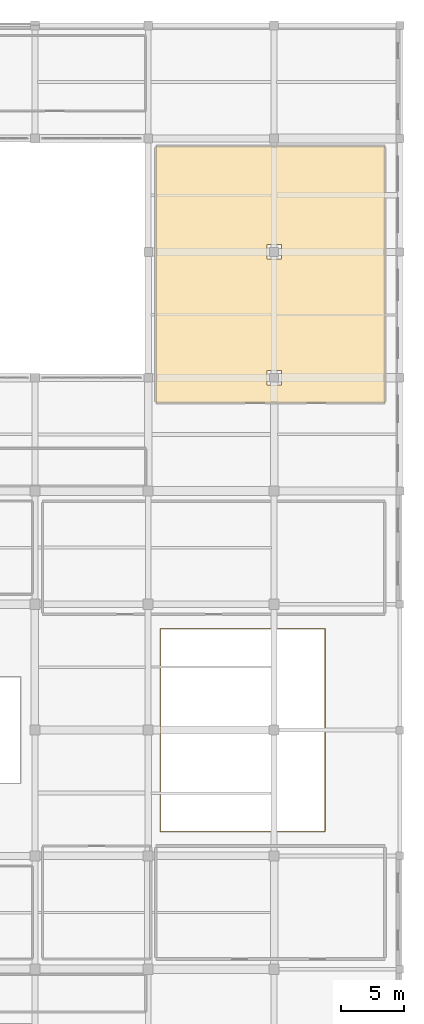
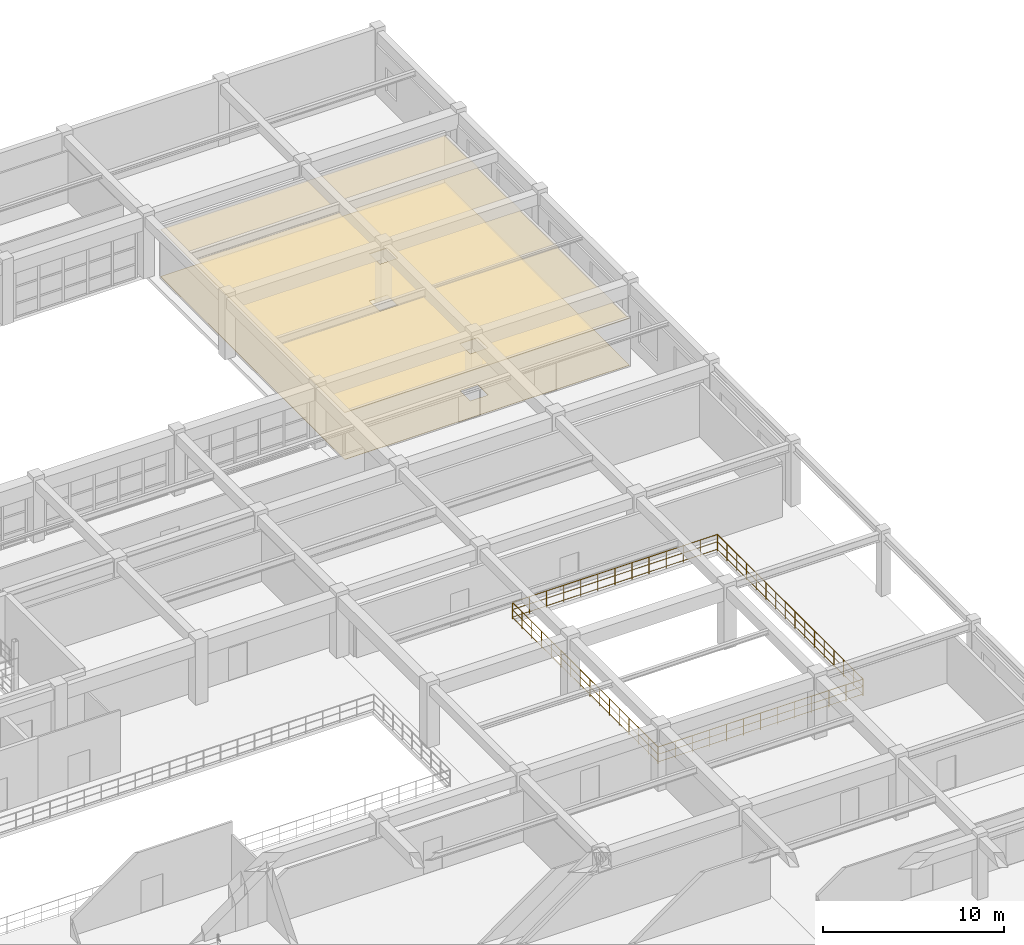
# One storey, part 133 of 133: 2 coverings, 1 railing.
"""IFC4 building model written with IfcOpenShell, lengths in metres."""

from ifc_helpers import new_model, si_unit, direction, frame, origin, origin_2d, place, context, subcontext, project, spatial, polyline, circle, outline, extrude, material, layer, layer_set, type_object, element, save


model = new_model("IFC4")

# Units and contexts
model_context = context("Model", 3, precision=1e-05, world=origin(), true_north=direction((0.0, 1.0)))
body_context = subcontext(model_context, "Body", "Model", "MODEL_VIEW")
ifc_project = project(units=[si_unit("LENGTHUNIT", "METRE"), si_unit("AREAUNIT", "SQUARE_METRE"), si_unit("VOLUMEUNIT", "CUBIC_METRE"), si_unit("PLANEANGLEUNIT", "RADIAN"), si_unit("MASSUNIT", "GRAM", prefix="KILO")], contexts=[model_context])

# Site, building, storey
site_placement = place(None, origin())
site = spatial("IfcSite", under=ifc_project, at=site_placement, CompositionType="ELEMENT")
building_placement = place(site_placement, origin())
building = spatial("IfcBuilding", under=site, at=building_placement, Name="Miravela Opera House", CompositionType="ELEMENT")
storey_placement = place(building_placement, frame((0.0, 0.0, 5.10009765625)))
storey = spatial("IfcBuildingStorey", under=building, at=storey_placement, Name="L01", CompositionType="ELEMENT", Elevation=5.10009765625)

# Coverings
ifc_material_1 = material(Name="Spanish Colonial coffered lime-plaster ceiling")
ifc_layer_1 = layer(ifc_material_1, 0.0419921875)
ifc_layer_set_1 = layer_set([ifc_layer_1])
covering_type_1 = type_object("IfcCoveringType", Name="ARC-CEIL-COFFER-42", PredefinedType="CEILING", material=ifc_layer_set_1)
covering_1_placement = place(storey_placement, frame((0.0, 0.0, 3.159912109375)))
element("IfcCovering", 1, at=covering_1_placement, inside=storey, type_object=covering_type_1, Name="Chamber Ensemble Rehearsal Room Acoustic Ceiling", PredefinedType="CEILING", context=body_context, shape_type="SweptSolid", body=[
    extrude(outline(polyline([(144.60009765625, 82.0), (162.800048828125, 82.0), (162.800048828125, 102.39990234375), (144.60009765625, 102.39990234375), (144.60009765625, 82.0)]), holes=[polyline([(153.425048828125, 83.425048828125), (154.574951171875, 83.425048828125), (154.574951171875, 84.574951171875), (153.425048828125, 84.574951171875), (153.425048828125, 83.425048828125)]), polyline([(153.425048828125, 93.425048828125), (154.574951171875, 93.425048828125), (154.574951171875, 94.574951171875), (153.425048828125, 94.574951171875), (153.425048828125, 93.425048828125)])]), origin(), (0.0, 0.0, 1.0), 0.0419921875),
])
ifc_material_2 = material(Name="Handcrafted terracotta salon tile flooring", Category="masonry")
ifc_layer_2 = layer(ifc_material_2, 0.02197265625)
ifc_layer_set_2 = layer_set([ifc_layer_2])
covering_type_2 = type_object("IfcCoveringType", Name="ARC-FLR-TERRACOTTA-22", PredefinedType="FLOORING", material=ifc_layer_set_2)
covering_2_placement = place(storey_placement, origin())
element("IfcCovering", 2, at=covering_2_placement, inside=storey, type_object=covering_type_2, Name="Chamber Ensemble Rehearsal Room Finish Flooring", PredefinedType="FLOORING", context=body_context, shape_type="SweptSolid", body=[
    extrude(outline(polyline([(144.60009765625, 82.0), (162.800048828125, 82.0), (162.800048828125, 102.39990234375), (144.60009765625, 102.39990234375), (144.60009765625, 82.0)]), holes=[polyline([(153.425048828125, 83.425048828125), (154.574951171875, 83.425048828125), (154.574951171875, 84.574951171875), (153.425048828125, 84.574951171875), (153.425048828125, 83.425048828125)]), polyline([(153.425048828125, 93.425048828125), (154.574951171875, 93.425048828125), (154.574951171875, 94.574951171875), (153.425048828125, 94.574951171875), (153.425048828125, 93.425048828125)])]), origin(), (0.0, 0.0, 1.0), 0.02197265625),
])

# Railing
ifc_material_3 = material(Name="Galvanised steel fly-gallery safety guardrail", Category="steel")
railing_type = type_object("IfcRailingType", Name="ARC-RAIL-STAGE-GUARD", PredefinedType="GUARDRAIL", material=ifc_material_3)
railing_placement = place(storey_placement, frame((144.94970703125, 47.93798828125, 0.0)))
element("IfcRailing", 3, at=railing_placement, inside=storey, type_object=railing_type, Name="L01 Void Perimeter Balustrade 0156", PredefinedType="GUARDRAIL", context=body_context, shape_type="SweptSolid", body=[
    extrude(circle(Radius=0.02392578125, at=origin_2d()), frame((0.0, 0.0, 1.1259765625), z_axis=(1.0, 0.0, 0.0), x_axis=(0.0, 1.0, 0.0)), (0.0, 0.0, 1.0), 13.1005859375),
    extrude(circle(Radius=0.01611328125, at=origin_2d()), frame((0.0, 0.0, 0.63232421875), z_axis=(1.0, 0.0, 0.0), x_axis=(0.0, 1.0, 0.0)), (0.0, 0.0, 1.0), 13.1005859375),
    extrude(circle(Radius=0.01611328125, at=origin_2d()), frame((0.0, 0.0, 0.1201171875), z_axis=(1.0, 0.0, 0.0), x_axis=(0.0, 1.0, 0.0)), (0.0, 0.0, 1.0), 13.1005859375),
    extrude(circle(Radius=0.02392578125, at=origin_2d()), frame((13.1005859375, 0.0, 1.1259765625), z_axis=(0.0, 1.0, 0.0), x_axis=(-1.0, 0.0, 0.0)), (0.0, 0.0, 1.0), 16.1240234375),
    extrude(circle(Radius=0.01611328125, at=origin_2d()), frame((13.1005859375, 0.0, 0.63232421875), z_axis=(0.0, 1.0, 0.0), x_axis=(-1.0, 0.0, 0.0)), (0.0, 0.0, 1.0), 16.1240234375),
    extrude(circle(Radius=0.01611328125, at=origin_2d()), frame((13.1005859375, 0.0, 0.1201171875), z_axis=(0.0, 1.0, 0.0), x_axis=(-1.0, 0.0, 0.0)), (0.0, 0.0, 1.0), 16.1240234375),
    extrude(circle(Radius=0.02392578125, at=origin_2d()), frame((13.1005859375, 16.1240234375, 1.1259765625), z_axis=(-1.0, 0.0, 0.0), x_axis=(0.0, -1.0, 0.0)), (0.0, 0.0, 1.0), 13.1005859375),
    extrude(circle(Radius=0.01611328125, at=origin_2d()), frame((13.1005859375, 16.1240234375, 0.63232421875), z_axis=(-1.0, 0.0, 0.0), x_axis=(0.0, -1.0, 0.0)), (0.0, 0.0, 1.0), 13.1005859375),
    extrude(circle(Radius=0.01611328125, at=origin_2d()), frame((13.1005859375, 16.1240234375, 0.1201171875), z_axis=(-1.0, 0.0, 0.0), x_axis=(0.0, -1.0, 0.0)), (0.0, 0.0, 1.0), 13.1005859375),
    extrude(circle(Radius=0.02392578125, at=origin_2d()), frame((0.0, 16.1240234375, 1.1259765625), z_axis=(0.0, -1.0, 0.0), x_axis=(1.0, 0.0, 0.0)), (0.0, 0.0, 1.0), 16.1240234375),
    extrude(circle(Radius=0.01611328125, at=origin_2d()), frame((0.0, 16.1240234375, 0.63232421875), z_axis=(0.0, -1.0, 0.0), x_axis=(1.0, 0.0, 0.0)), (0.0, 0.0, 1.0), 16.1240234375),
    extrude(circle(Radius=0.01611328125, at=origin_2d()), frame((0.0, 16.1240234375, 0.1201171875), z_axis=(0.0, -1.0, 0.0), x_axis=(1.0, 0.0, 0.0)), (0.0, 0.0, 1.0), 16.1240234375),
    extrude(circle(Radius=0.02099609375, at=origin_2d()), origin(), (0.0, 0.0, 1.0), 1.101806640625),
    extrude(circle(Radius=0.02099609375, at=origin_2d()), frame((1.091796875, 0.0, 0.0)), (0.0, 0.0, 1.0), 1.101806640625),
    extrude(circle(Radius=0.02099609375, at=origin_2d()), frame((2.183349609375, 0.0, 0.0)), (0.0, 0.0, 1.0), 1.101806640625),
    extrude(circle(Radius=0.02099609375, at=origin_2d()), frame((3.275146484375, 0.0, 0.0)), (0.0, 0.0, 1.0), 1.101806640625),
    extrude(circle(Radius=0.02099609375, at=origin_2d()), frame((4.366943359375, 0.0, 0.0)), (0.0, 0.0, 1.0), 1.101806640625),
    extrude(circle(Radius=0.02099609375, at=origin_2d()), frame((5.45849609375, 0.0, 0.0)), (0.0, 0.0, 1.0), 1.101806640625),
    extrude(circle(Radius=0.02099609375, at=origin_2d()), frame((6.55029296875, 0.0, 0.0)), (0.0, 0.0, 1.0), 1.101806640625),
    extrude(circle(Radius=0.02099609375, at=origin_2d()), frame((7.64208984375, 0.0, 0.0)), (0.0, 0.0, 1.0), 1.101806640625),
    extrude(circle(Radius=0.02099609375, at=origin_2d()), frame((8.733642578125, 0.0, 0.0)), (0.0, 0.0, 1.0), 1.101806640625),
    extrude(circle(Radius=0.02099609375, at=origin_2d()), frame((9.825439453125, 0.0, 0.0)), (0.0, 0.0, 1.0), 1.101806640625),
    extrude(circle(Radius=0.02099609375, at=origin_2d()), frame((10.917236328125, 0.0, 0.0)), (0.0, 0.0, 1.0), 1.101806640625),
    extrude(circle(Radius=0.02099609375, at=origin_2d()), frame((12.0087890625, 0.0, 0.0)), (0.0, 0.0, 1.0), 1.101806640625),
    extrude(circle(Radius=0.02099609375, at=origin_2d()), frame((13.1005859375, 0.0, 0.0)), (0.0, 0.0, 1.0), 1.101806640625),
    extrude(circle(Radius=0.02099609375, at=origin_2d()), frame((13.1005859375, 1.074951171875, 0.0)), (0.0, 0.0, 1.0), 1.101806640625),
    extrude(circle(Radius=0.02099609375, at=origin_2d()), frame((13.1005859375, 2.14990234375, 0.0)), (0.0, 0.0, 1.0), 1.101806640625),
    extrude(circle(Radius=0.02099609375, at=origin_2d()), frame((13.1005859375, 3.224853515625, 0.0)), (0.0, 0.0, 1.0), 1.101806640625),
    extrude(circle(Radius=0.02099609375, at=origin_2d()), frame((13.1005859375, 4.2998046875, 0.0)), (0.0, 0.0, 1.0), 1.101806640625),
    extrude(circle(Radius=0.02099609375, at=origin_2d()), frame((13.1005859375, 5.374755859375, 0.0)), (0.0, 0.0, 1.0), 1.101806640625),
    extrude(circle(Radius=0.02099609375, at=origin_2d()), frame((13.1005859375, 6.44970703125, 0.0)), (0.0, 0.0, 1.0), 1.101806640625),
    extrude(circle(Radius=0.02099609375, at=origin_2d()), frame((13.1005859375, 7.524658203125, 0.0)), (0.0, 0.0, 1.0), 1.101806640625),
    extrude(circle(Radius=0.02099609375, at=origin_2d()), frame((13.1005859375, 8.599365234375, 0.0)), (0.0, 0.0, 1.0), 1.101806640625),
    extrude(circle(Radius=0.02099609375, at=origin_2d()), frame((13.1005859375, 9.67431640625, 0.0)), (0.0, 0.0, 1.0), 1.101806640625),
    extrude(circle(Radius=0.02099609375, at=origin_2d()), frame((13.1005859375, 10.749267578125, 0.0)), (0.0, 0.0, 1.0), 1.101806640625),
    extrude(circle(Radius=0.02099609375, at=origin_2d()), frame((13.1005859375, 11.82421875, 0.0)), (0.0, 0.0, 1.0), 1.101806640625),
    extrude(circle(Radius=0.02099609375, at=origin_2d()), frame((13.1005859375, 12.899169921875, 0.0)), (0.0, 0.0, 1.0), 1.101806640625),
    extrude(circle(Radius=0.02099609375, at=origin_2d()), frame((13.1005859375, 13.97412109375, 0.0)), (0.0, 0.0, 1.0), 1.101806640625),
    extrude(circle(Radius=0.02099609375, at=origin_2d()), frame((13.1005859375, 15.049072265625, 0.0)), (0.0, 0.0, 1.0), 1.101806640625),
    extrude(circle(Radius=0.02099609375, at=origin_2d()), frame((13.1005859375, 16.1240234375, 0.0)), (0.0, 0.0, 1.0), 1.101806640625),
    extrude(circle(Radius=0.02099609375, at=origin_2d()), frame((12.0087890625, 16.1240234375, 0.0)), (0.0, 0.0, 1.0), 1.101806640625),
    extrude(circle(Radius=0.02099609375, at=origin_2d()), frame((10.917236328125, 16.1240234375, 0.0)), (0.0, 0.0, 1.0), 1.101806640625),
    extrude(circle(Radius=0.02099609375, at=origin_2d()), frame((9.825439453125, 16.1240234375, 0.0)), (0.0, 0.0, 1.0), 1.101806640625),
    extrude(circle(Radius=0.02099609375, at=origin_2d()), frame((8.733642578125, 16.1240234375, 0.0)), (0.0, 0.0, 1.0), 1.101806640625),
    extrude(circle(Radius=0.02099609375, at=origin_2d()), frame((7.64208984375, 16.1240234375, 0.0)), (0.0, 0.0, 1.0), 1.101806640625),
    extrude(circle(Radius=0.02099609375, at=origin_2d()), frame((6.55029296875, 16.1240234375, 0.0)), (0.0, 0.0, 1.0), 1.101806640625),
    extrude(circle(Radius=0.02099609375, at=origin_2d()), frame((5.45849609375, 16.1240234375, 0.0)), (0.0, 0.0, 1.0), 1.101806640625),
    extrude(circle(Radius=0.02099609375, at=origin_2d()), frame((4.366943359375, 16.1240234375, 0.0)), (0.0, 0.0, 1.0), 1.101806640625),
    extrude(circle(Radius=0.02099609375, at=origin_2d()), frame((3.275146484375, 16.1240234375, 0.0)), (0.0, 0.0, 1.0), 1.101806640625),
    extrude(circle(Radius=0.02099609375, at=origin_2d()), frame((2.183349609375, 16.1240234375, 0.0)), (0.0, 0.0, 1.0), 1.101806640625),
    extrude(circle(Radius=0.02099609375, at=origin_2d()), frame((1.091796875, 16.1240234375, 0.0)), (0.0, 0.0, 1.0), 1.101806640625),
    extrude(circle(Radius=0.02099609375, at=origin_2d()), frame((0.0, 16.1240234375, 0.0)), (0.0, 0.0, 1.0), 1.101806640625),
    extrude(circle(Radius=0.02099609375, at=origin_2d()), frame((0.0, 15.049072265625, 0.0)), (0.0, 0.0, 1.0), 1.101806640625),
    extrude(circle(Radius=0.02099609375, at=origin_2d()), frame((0.0, 13.97412109375, 0.0)), (0.0, 0.0, 1.0), 1.101806640625),
    extrude(circle(Radius=0.02099609375, at=origin_2d()), frame((0.0, 12.899169921875, 0.0)), (0.0, 0.0, 1.0), 1.101806640625),
    extrude(circle(Radius=0.02099609375, at=origin_2d()), frame((0.0, 11.82421875, 0.0)), (0.0, 0.0, 1.0), 1.101806640625),
    extrude(circle(Radius=0.02099609375, at=origin_2d()), frame((0.0, 10.749267578125, 0.0)), (0.0, 0.0, 1.0), 1.101806640625),
    extrude(circle(Radius=0.02099609375, at=origin_2d()), frame((0.0, 9.67431640625, 0.0)), (0.0, 0.0, 1.0), 1.101806640625),
    extrude(circle(Radius=0.02099609375, at=origin_2d()), frame((0.0, 8.599365234375, 0.0)), (0.0, 0.0, 1.0), 1.101806640625),
    extrude(circle(Radius=0.02099609375, at=origin_2d()), frame((0.0, 7.524658203125, 0.0)), (0.0, 0.0, 1.0), 1.101806640625),
    extrude(circle(Radius=0.02099609375, at=origin_2d()), frame((0.0, 6.44970703125, 0.0)), (0.0, 0.0, 1.0), 1.101806640625),
    extrude(circle(Radius=0.02099609375, at=origin_2d()), frame((0.0, 5.374755859375, 0.0)), (0.0, 0.0, 1.0), 1.101806640625),
    extrude(circle(Radius=0.02099609375, at=origin_2d()), frame((0.0, 4.2998046875, 0.0)), (0.0, 0.0, 1.0), 1.101806640625),
    extrude(circle(Radius=0.02099609375, at=origin_2d()), frame((0.0, 3.224853515625, 0.0)), (0.0, 0.0, 1.0), 1.101806640625),
    extrude(circle(Radius=0.02099609375, at=origin_2d()), frame((0.0, 2.14990234375, 0.0)), (0.0, 0.0, 1.0), 1.101806640625),
    extrude(circle(Radius=0.02099609375, at=origin_2d()), frame((0.0, 1.074951171875, 0.0)), (0.0, 0.0, 1.0), 1.101806640625),
])

save(model, "model.ifc")
